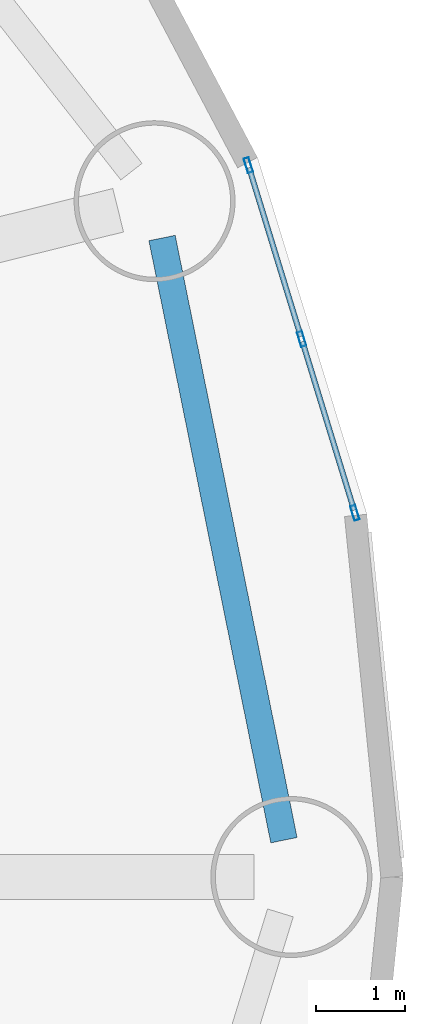
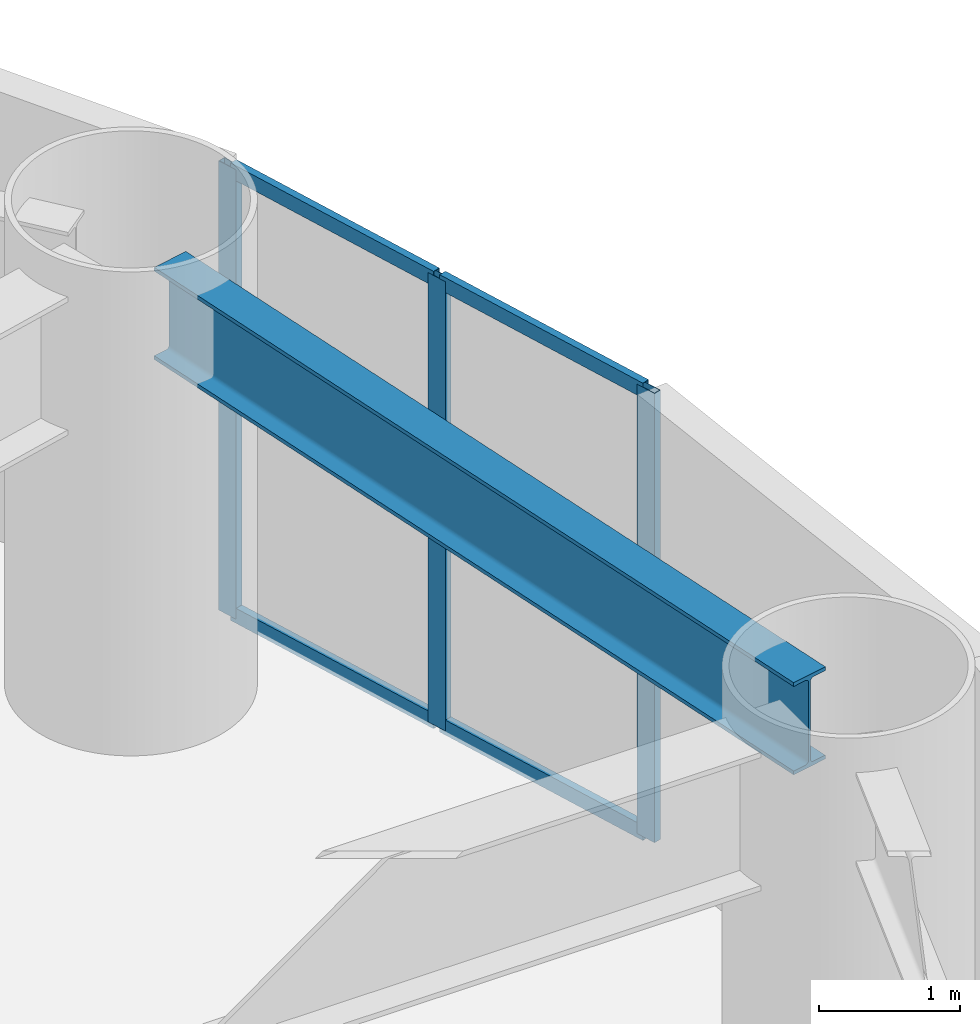
# One storey, part 11 of 27: 7 members, 1 beam, 1 element without a shape of its own.
"""IFC4 building model written with IfcOpenShell, lengths in metres."""

from ifc_helpers import new_model, si_unit, direction, frame, origin, origin_2d, place, context, subcontext, project, spatial, hollow_rectangle, i_section, extrude, source, transform, mapped, material, layer, layer_set, material_profile, profile_set, type_object, element, aggregate, save


model = new_model("IFC4")

# Units and contexts
model_context = context("Model", 3, precision=1e-05, world=origin(), true_north=direction((0.0, 1.0)))
body_context = subcontext(model_context, "Body", "Model", "MODEL_VIEW")
ifc_project = project(units=[si_unit("LENGTHUNIT", "METRE"), si_unit("AREAUNIT", "SQUARE_METRE"), si_unit("VOLUMEUNIT", "CUBIC_METRE"), si_unit("PLANEANGLEUNIT", "RADIAN"), si_unit("MASSUNIT", "GRAM", prefix="KILO")], contexts=[model_context])

# Site, building, storey
site_placement = place(None, origin())
site = spatial("IfcSite", under=ifc_project, at=site_placement, CompositionType="ELEMENT")
building_placement = place(site_placement, origin())
building = spatial("IfcBuilding", under=site, at=building_placement, Name="Linh Dai School and Residence Tower", CompositionType="ELEMENT")
storey_placement = place(building_placement, frame((0.0, 0.0, 22.800048828125)))
storey = spatial("IfcBuildingStorey", under=building, at=storey_placement, Name="L05", CompositionType="ELEMENT", Elevation=22.800048828125)

# Beam
ifc_material_1 = material(Name="Structural Steel S355JR", Category="steel")
ifc_material_profile_1 = material_profile(ifc_material_1, i_section(OverallWidth=0.300048828125, OverallDepth=0.800048828125, WebThickness=0.017578125, FlangeThickness=0.032958984375, FilletRadius=0.030029296875, at=origin_2d()), Name="HEB 800")
ifc_profile_set_1 = profile_set([ifc_material_profile_1], Name="Structural Steel S355JR")
beam_type = type_object("IfcBeamType", Name="BM-RG8", PredefinedType="BEAM", material=ifc_profile_set_1)
beam_placement = place(storey_placement, frame((67.86669921875, 27.41162109375, 3.5), z_axis=(-0.198405440792, 0.980120034008, 0.0), x_axis=(-0.980120034008, -0.198405440792, 0.0)))
element("IfcBeam", 1, at=beam_placement, inside=storey, type_object=beam_type, Name="L05 Perimeter Elliptical Ring Beam 01", PredefinedType="BEAM", context=body_context, shape_type="SweptSolid", body=[
    extrude(i_section(OverallWidth=0.300048828125, OverallDepth=0.800048828125, WebThickness=0.017578125, FlangeThickness=0.032958984375, FilletRadius=0.030029296875, at=origin_2d()), origin(), (0.0, 0.0, 1.0), 6.86865234375),
])

# Curtain wall, members
ifc_material_2 = material(Name="Aluminium Anodised Curtain Wall", Category="aluminium")
ifc_layer = layer(ifc_material_2, 0.169921875)
ifc_layer_set = layer_set([ifc_layer], Name="Aluminium Anodised Curtain Wall")
curtain_wall_type = type_object("IfcCurtainWallType", Name="CW-SYS-2", PredefinedType="USERDEFINED", material=ifc_layer_set)
curtain_wall_placement = place(storey_placement, origin())
curtain_wall = element("IfcCurtainWall", 2, at=curtain_wall_placement, inside=storey, type_object=curtain_wall_type, Name="L05 CW2 Curtain Wall 02", ObjectType="UNITISED CURTAIN WALL", PredefinedType="USERDEFINED")
ifc_material_3 = material(Name="Aluminium Alloy 6063-T6", Category="aluminium")
ifc_material_profile_2 = material_profile(ifc_material_3, hollow_rectangle(XDim=0.06005859375, YDim=0.169921875, WallThickness=0.00390625, at=origin_2d()), Name="RHS 170x60x4")
ifc_profile_set_2 = profile_set([ifc_material_profile_2], Name="Aluminium Alloy 6063-T6")
member_type_1 = type_object("IfcMemberType", Name="CW-SYS-2-MUL", PredefinedType="MULLION", material=ifc_profile_set_2)
shared_shape_1 = source(origin(), body_context, "Body", "SweptSolid", [
    extrude(hollow_rectangle(XDim=0.06005859375, YDim=0.169921875, WallThickness=0.00390625, at=origin_2d()), origin(), (0.0, 0.0, 1.0), 3.89990234375),
])
member_1_placement = place(storey_placement, frame((67.468505859375, 34.957763671875, 0.0), z_axis=(0.0, 0.0, 1.0), x_axis=(0.956080668415, 0.293103659962, 0.0)))
member_1 = element("IfcMember", 3, at=member_1_placement, type_object=member_type_1, Name="CW2 mullion 1", PredefinedType="MULLION", context=body_context, shape_type="MappedRepresentation", body=[
    mapped(shared_shape_1, transform((0.0, 0.0, 0.0), x_axis=(1.0, 0.0, 0.0), y_axis=(0.0, 1.0, 0.0), z_axis=(0.0, 0.0, 1.0), scale=1.0)),
])
member_2_placement = place(storey_placement, frame((68.064208984375, 33.0146484375, 0.0), z_axis=(0.0, 0.0, 1.0), x_axis=(0.956080668415, 0.293103659962, 0.0)))
member_2 = element("IfcMember", 4, at=member_2_placement, type_object=member_type_1, Name="CW2 mullion 2", PredefinedType="MULLION", context=body_context, shape_type="MappedRepresentation", body=[
    mapped(shared_shape_1, transform((0.0, 0.0, 0.0), x_axis=(1.0, 0.0, 0.0), y_axis=(0.0, 1.0, 0.0), z_axis=(0.0, 0.0, 1.0), scale=1.0)),
])
member_3_placement = place(storey_placement, frame((68.659912109375, 31.0712890625, 0.0), z_axis=(0.0, 0.0, 1.0), x_axis=(0.956080668415, 0.293103659962, 0.0)))
member_3 = element("IfcMember", 5, at=member_3_placement, type_object=member_type_1, Name="CW2 mullion 3", PredefinedType="MULLION", context=body_context, shape_type="MappedRepresentation", body=[
    mapped(shared_shape_1, transform((0.0, 0.0, 0.0), x_axis=(1.0, 0.0, 0.0), y_axis=(0.0, 1.0, 0.0), z_axis=(0.0, 0.0, 1.0), scale=1.0)),
])
ifc_material_profile_3 = material_profile(ifc_material_3, hollow_rectangle(XDim=0.06005859375, YDim=0.1298828125, WallThickness=0.00390625, at=origin_2d()), Name="RHS 130x60x4")
ifc_profile_set_3 = profile_set([ifc_material_profile_3], Name="Aluminium Alloy 6063-T6")
member_type_2 = type_object("IfcMemberType", Name="CW-SYS-2-TRN", PredefinedType="USERDEFINED", material=ifc_profile_set_3)
shared_shape_2 = source(origin(), body_context, "Body", "SweptSolid", [
    extrude(hollow_rectangle(XDim=0.06005859375, YDim=0.1298828125, WallThickness=0.00390625, at=origin_2d()), origin(), (0.0, 0.0, 1.0), 1.97265625),
])
member_4_placement = place(storey_placement, frame((67.477294921875, 34.92919921875, 0.030029296875), z_axis=(0.293076828505, -0.956088893667, 0.0), x_axis=(0.956088893667, 0.293076828505, 0.0)))
member_4 = element("IfcMember", 6, at=member_4_placement, type_object=member_type_2, Name="CW2 transom 1.1", ObjectType="TRANSOM", PredefinedType="USERDEFINED", context=body_context, shape_type="MappedRepresentation", body=[
    mapped(shared_shape_2, transform((0.0, 0.0, 0.0), x_axis=(1.0, 0.0, 0.0), y_axis=(0.0, 1.0, 0.0), z_axis=(0.0, 0.0, 1.0), scale=1.0)),
])
member_5_placement = place(storey_placement, frame((67.477294921875, 34.92919921875, 3.869873046875), z_axis=(0.293076828505, -0.956088893667, 0.0), x_axis=(0.956088893667, 0.293076828505, 0.0)))
member_5 = element("IfcMember", 7, at=member_5_placement, type_object=member_type_2, Name="CW2 transom 1.2", ObjectType="TRANSOM", PredefinedType="USERDEFINED", context=body_context, shape_type="MappedRepresentation", body=[
    mapped(shared_shape_2, transform((0.0, 0.0, 0.0), x_axis=(1.0, 0.0, 0.0), y_axis=(0.0, 1.0, 0.0), z_axis=(0.0, 0.0, 1.0), scale=1.0)),
])
member_6_placement = place(storey_placement, frame((68.072998046875, 32.98583984375, 0.030029296875), z_axis=(0.293076828505, -0.956088893667, 0.0), x_axis=(0.956088893667, 0.293076828505, 0.0)))
member_6 = element("IfcMember", 8, at=member_6_placement, type_object=member_type_2, Name="CW2 transom 2.1", ObjectType="TRANSOM", PredefinedType="USERDEFINED", context=body_context, shape_type="MappedRepresentation", body=[
    mapped(shared_shape_2, transform((0.0, 0.0, 0.0), x_axis=(1.0, 0.0, 0.0), y_axis=(0.0, 1.0, 0.0), z_axis=(0.0, 0.0, 1.0), scale=1.0)),
])
member_7_placement = place(storey_placement, frame((68.072998046875, 32.98583984375, 3.869873046875), z_axis=(0.293076828505, -0.956088893667, 0.0), x_axis=(0.956088893667, 0.293076828505, 0.0)))
member_7 = element("IfcMember", 9, at=member_7_placement, type_object=member_type_2, Name="CW2 transom 2.2", ObjectType="TRANSOM", PredefinedType="USERDEFINED", context=body_context, shape_type="MappedRepresentation", body=[
    mapped(shared_shape_2, transform((0.0, 0.0, 0.0), x_axis=(1.0, 0.0, 0.0), y_axis=(0.0, 1.0, 0.0), z_axis=(0.0, 0.0, 1.0), scale=1.0)),
])
aggregate(curtain_wall, [member_1, member_2, member_3, member_4, member_5, member_6, member_7])

save(model, "model.ifc")
